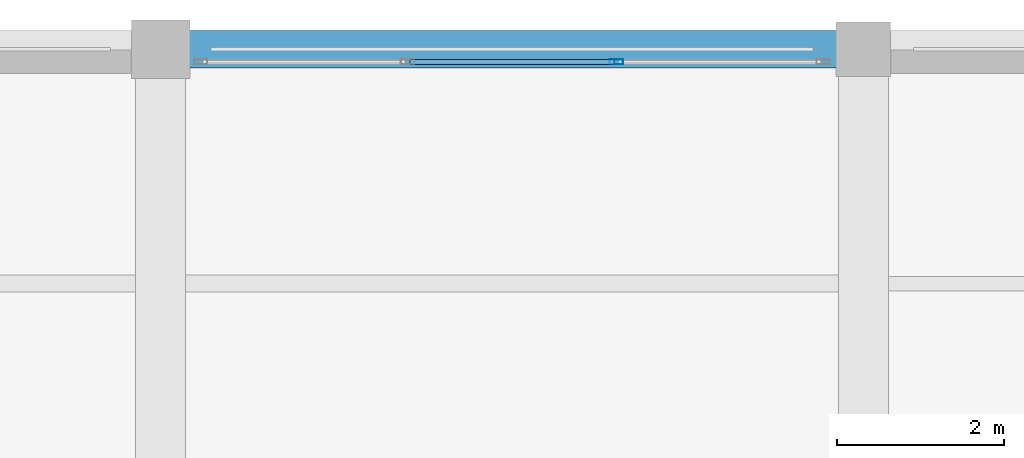
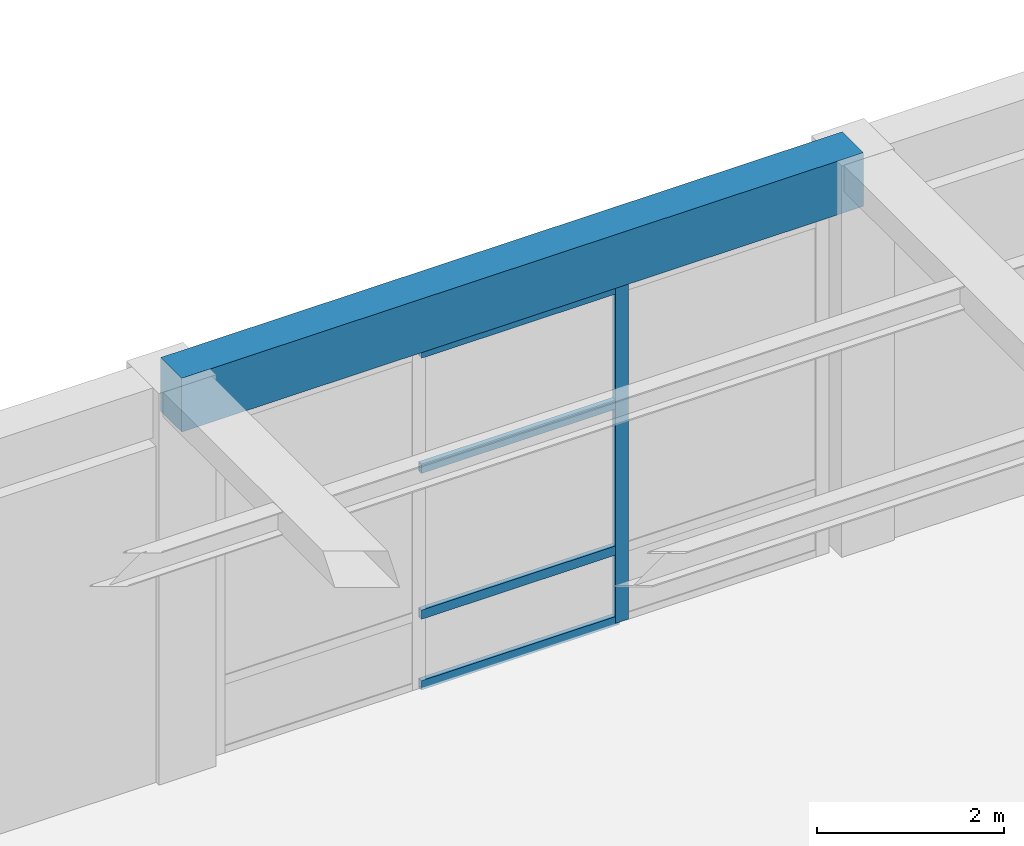
# One storey, part 51 of 96: 5 members, 1 beam, 1 element without a shape of its own.
"""IFC4 building model written with IfcOpenShell, lengths in metres."""

from ifc_helpers import new_model, si_unit, direction, frame, origin, origin_2d, place, context, subcontext, project, spatial, rectangle, hollow_rectangle, extrude, material, material_profile, profile_set, type_object, element, aggregate, save


model = new_model("IFC4")

# Units and contexts
model_context = context("Model", 3, precision=1e-05, world=origin(), true_north=direction((0.0, 1.0)))
body_context = subcontext(model_context, "Body", "Model", "MODEL_VIEW")
ifc_project = project(units=[si_unit("LENGTHUNIT", "METRE"), si_unit("AREAUNIT", "SQUARE_METRE"), si_unit("VOLUMEUNIT", "CUBIC_METRE"), si_unit("PLANEANGLEUNIT", "RADIAN"), si_unit("MASSUNIT", "GRAM", prefix="KILO")], contexts=[model_context])

# Site, building, storey
site_placement = place(None, origin())
site = spatial("IfcSite", under=ifc_project, at=site_placement, CompositionType="ELEMENT")
building_placement = place(site_placement, origin())
building = spatial("IfcBuilding", under=site, at=building_placement, Name="Almacenes y Pasaje Nevantli", CompositionType="ELEMENT")
storey_placement = place(building_placement, frame((0.0, 0.0, 6.0)))
storey = spatial("IfcBuildingStorey", under=building, at=storey_placement, Name="L02", CompositionType="ELEMENT", Elevation=6.0)

# Beam
ifc_material_1 = material(Name="Concrete C35/45", Category="concrete")
ifc_material_profile_1 = material_profile(ifc_material_1, rectangle(XDim=0.449951171875, YDim=0.699951171875, at=origin_2d()), Name="RC-BM-450x700")
ifc_profile_set_1 = profile_set([ifc_material_profile_1], Name="Concrete C35/45")
beam_type = type_object("IfcBeamType", Name="BM-RC-450x700", PredefinedType="SPANDREL", material=ifc_profile_set_1)
beam_placement = place(storey_placement, frame((117.60009765625, 117.60009765625, 4.75), z_axis=(1.0, 0.0, 0.0), x_axis=(0.0, 1.0, 0.0)))
element("IfcBeam", 1, at=beam_placement, inside=storey, type_object=beam_type, Name="L02 East-West Reinforced Concrete Beam #1960", PredefinedType="SPANDREL", context=body_context, shape_type="SweptSolid", body=[
    extrude(rectangle(XDim=0.449951171875, YDim=0.699951171875, at=origin_2d()), origin(), (0.0, 0.0, 1.0), 8.39990234375),
])

# Curtain wall, members
ifc_material_2 = material(Name="Thermally Broken Aluminium and Low-E Glass", Category="aluminium")
curtain_wall_type = type_object("IfcCurtainWallType", Name="CW-STF-BLVD", PredefinedType="USERDEFINED", material=ifc_material_2)
curtain_wall_placement = place(storey_placement, origin())
curtain_wall = element("IfcCurtainWall", 2, at=curtain_wall_placement, inside=storey, type_object=curtain_wall_type, Name="L02 North Boulevard Retail Curtain Wall Bay 15", ObjectType="STOREFRONT GLAZING", PredefinedType="USERDEFINED")
ifc_material_3 = material(Name="Thermally Broken Anodized Aluminium", Category="aluminium")
ifc_material_profile_2 = material_profile(ifc_material_3, hollow_rectangle(XDim=0.06005859375, YDim=0.159912109375, WallThickness=0.00390625, at=origin_2d()), Name="ALU-MUL-60x160")
ifc_profile_set_2 = profile_set([ifc_material_profile_2], Name="Thermally Broken Anodized Aluminium")
member_type_1 = type_object("IfcMemberType", Name="CW-MUL-180", PredefinedType="MULLION", material=ifc_profile_set_2)
member_1_placement = place(storey_placement, frame((123.050048828125, 117.449951171875, 0.0), z_axis=(0.0, 0.0, 1.0), x_axis=(0.0, 1.0, 0.0)))
member_1 = element("IfcMember", 3, at=member_1_placement, type_object=member_type_1, Name="CW-L02-009 mullion 3", PredefinedType="MULLION", context=body_context, shape_type="SweptSolid", body=[
    extrude(hollow_rectangle(XDim=0.06005859375, YDim=0.159912109375, WallThickness=0.00390625, at=origin_2d()), origin(), (0.0, 0.0, 1.0), 4.3798828125),
])
ifc_material_4 = material(Name="Thermally Broken Anodized Aluminium", Category="aluminium")
ifc_material_profile_3 = material_profile(ifc_material_4, hollow_rectangle(XDim=0.06005859375, YDim=0.1201171875, WallThickness=0.00341796875, at=origin_2d()), Name="ALU-TRN-60x120")
ifc_profile_set_3 = profile_set([ifc_material_profile_3], Name="Thermally Broken Anodized Aluminium")
member_type_2 = type_object("IfcMemberType", Name="CW-TRN-130", PredefinedType="USERDEFINED", material=ifc_profile_set_3)
member_2_placement = place(storey_placement, frame((120.580078125, 117.449951171875, 0.030029296875), z_axis=(1.0, 0.0, 0.0), x_axis=(0.0, 1.0, 0.0)))
member_2 = element("IfcMember", 4, at=member_2_placement, type_object=member_type_2, Name="CW-L02-009 transom 2.1", ObjectType="TRANSOM", PredefinedType="USERDEFINED", context=body_context, shape_type="SweptSolid", body=[
    extrude(hollow_rectangle(XDim=0.06005859375, YDim=0.1201171875, WallThickness=0.00341796875, at=origin_2d()), origin(), (0.0, 0.0, 1.0), 2.43994140625),
])
member_3_placement = place(storey_placement, frame((120.580078125, 117.449951171875, 0.949951171875), z_axis=(1.0, 0.0, 0.0), x_axis=(0.0, 1.0, 0.0)))
member_3 = element("IfcMember", 5, at=member_3_placement, type_object=member_type_2, Name="CW-L02-009 transom 2.2", ObjectType="TRANSOM", PredefinedType="USERDEFINED", context=body_context, shape_type="SweptSolid", body=[
    extrude(hollow_rectangle(XDim=0.06005859375, YDim=0.1201171875, WallThickness=0.00341796875, at=origin_2d()), origin(), (0.0, 0.0, 1.0), 2.43994140625),
])
member_4_placement = place(storey_placement, frame((120.580078125, 117.449951171875, 2.85009765625), z_axis=(1.0, 0.0, 0.0), x_axis=(0.0, 1.0, 0.0)))
member_4 = element("IfcMember", 6, at=member_4_placement, type_object=member_type_2, Name="CW-L02-009 transom 2.3", ObjectType="TRANSOM", PredefinedType="USERDEFINED", context=body_context, shape_type="SweptSolid", body=[
    extrude(hollow_rectangle(XDim=0.06005859375, YDim=0.1201171875, WallThickness=0.00341796875, at=origin_2d()), origin(), (0.0, 0.0, 1.0), 2.43994140625),
])
member_5_placement = place(storey_placement, frame((120.580078125, 117.449951171875, 4.35009765625), z_axis=(1.0, 0.0, 0.0), x_axis=(0.0, 1.0, 0.0)))
member_5 = element("IfcMember", 7, at=member_5_placement, type_object=member_type_2, Name="CW-L02-009 transom 2.4", ObjectType="TRANSOM", PredefinedType="USERDEFINED", context=body_context, shape_type="SweptSolid", body=[
    extrude(hollow_rectangle(XDim=0.06005859375, YDim=0.1201171875, WallThickness=0.00341796875, at=origin_2d()), origin(), (0.0, 0.0, 1.0), 2.43994140625),
])
aggregate(curtain_wall, [member_1, member_2, member_3, member_4, member_5])

save(model, "model.ifc")
